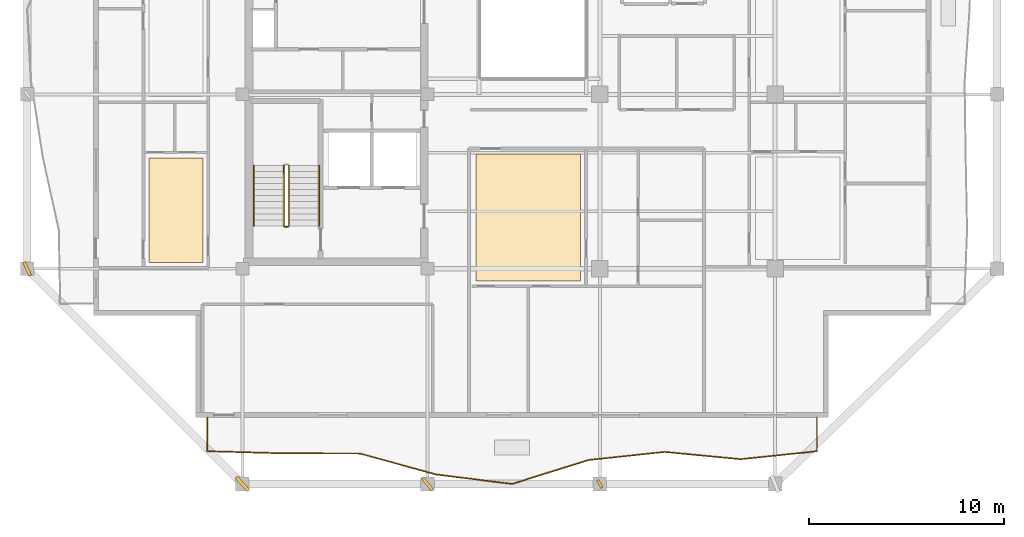
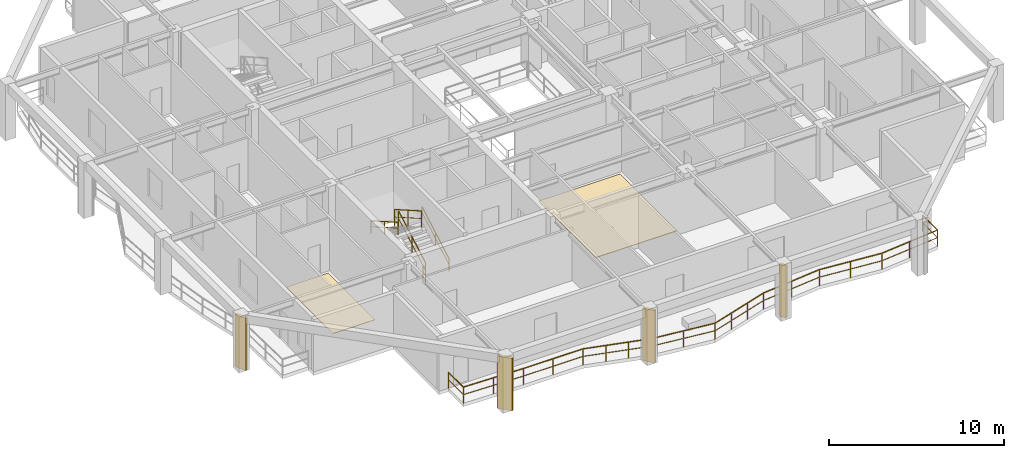
# One storey, part 8 of 13: 6 railings, 4 shading devices, 2 coverings.
"""IFC4 building model written with IfcOpenShell, lengths in metres."""

from ifc_helpers import new_model, si_unit, direction, frame, origin, origin_2d, place, context, subcontext, project, spatial, polyline, rectangle, outline, extrude, material, layer, layer_set, type_object, element, save


model = new_model("IFC4")

# Units and contexts
model_context = context("Model", 3, precision=1e-05, world=origin(), true_north=direction((0.0, 1.0)))
body_context = subcontext(model_context, "Body", "Model", "MODEL_VIEW")
ifc_project = project(units=[si_unit("LENGTHUNIT", "METRE"), si_unit("AREAUNIT", "SQUARE_METRE"), si_unit("VOLUMEUNIT", "CUBIC_METRE"), si_unit("PLANEANGLEUNIT", "RADIAN"), si_unit("MASSUNIT", "GRAM", prefix="KILO")], contexts=[model_context])

# Site, building, storey
site_placement = place(None, origin())
site = spatial("IfcSite", under=ifc_project, at=site_placement, CompositionType="ELEMENT")
building_placement = place(site_placement, origin())
building = spatial("IfcBuilding", under=site, at=building_placement, Name="Kundavana Baori Tower", CompositionType="ELEMENT")
storey_placement = place(building_placement, frame((0.0, 0.0, 225.800048828125)))
storey = spatial("IfcBuildingStorey", under=building, at=storey_placement, Name="L55", CompositionType="ELEMENT", Elevation=225.800048828125)

# Coverings
ifc_material_1 = material(Name="Honed Kota Stone and Terrazzo Flooring", Category="masonry")
ifc_layer_1 = layer(ifc_material_1, 0.0400390625, Name="COV-FLR-TERR-40")
ifc_layer_set_1 = layer_set([ifc_layer_1], Name="Honed Kota Stone and Terrazzo Flooring")
covering_type_1 = type_object("IfcCoveringType", Name="COV-FLR-TERR-40", PredefinedType="FLOORING", material=ifc_layer_set_1)
covering_1_placement = place(storey_placement, origin())
element("IfcCovering", 1, at=covering_1_placement, inside=storey, type_object=covering_type_1, Name="L55 Room Finished Stone Flooring 4", PredefinedType="FLOORING", context=body_context, shape_type="SweptSolid", body=[
    extrude(outline(polyline([(27.43994140625, 14.6201171875), (32.81005859375, 14.6201171875), (32.81005859375, 21.139892578125), (27.43994140625, 21.139892578125), (27.43994140625, 14.6201171875)])), origin(), (0.0, 0.0, 1.0), 0.0400390625),
])
ifc_material_2 = material(Name="Honed Kota Stone and Terrazzo Flooring", Category="masonry")
ifc_layer_2 = layer(ifc_material_2, 0.030029296875, Name="COV-INT-FLR")
ifc_layer_set_2 = layer_set([ifc_layer_2], Name="Honed Kota Stone and Terrazzo Flooring")
covering_type_2 = type_object("IfcCoveringType", Name="COV-INT-FLR", PredefinedType="FLOORING", material=ifc_layer_set_2)
covering_2_placement = place(storey_placement, origin())
element("IfcCovering", 2, at=covering_2_placement, inside=storey, type_object=covering_type_2, Name="L55 Room Finished Stone Flooring 1", PredefinedType="FLOORING", context=body_context, shape_type="SweptSolid", body=[
    extrude(outline(polyline([(10.64990234375, 15.580078125), (13.419921875, 15.580078125), (13.419921875, 20.93994140625), (10.64990234375, 20.93994140625), (10.64990234375, 15.580078125)])), origin(), (0.0, 0.0, 1.0), 0.030029296875),
])

# Railings
ifc_material_3 = material(Name="Architectural Patinated Bronze Metalwork")
railing_type_1 = type_object("IfcRailingType", Name="RL-BAL-1150", PredefinedType="BALUSTRADE", material=ifc_material_3)
railing_1_placement = place(storey_placement, frame((44.949951171875, 7.60009765625, 0.0)))
element("IfcRailing", 3, at=railing_1_placement, inside=storey, type_object=railing_type_1, Name="L55 Loggia Balcony Balustrade S", PredefinedType="BALUSTRADE", context=body_context, shape_type="SweptSolid", body=[
    extrude(rectangle(XDim=0.048095703125, YDim=0.048095703125, at=origin_2d()), frame((0.0, 0.0, 1.1259765625), z_axis=(0.0, -1.0, 0.0), x_axis=(1.0, 0.0, 0.0)), (0.0, 0.0, 1.0), 1.72021484375),
    extrude(rectangle(XDim=0.03125, YDim=0.03125, at=origin_2d()), frame((0.0, 0.0, 0.597900390625), z_axis=(0.0, -1.0, 0.0), x_axis=(1.0, 0.0, 0.0)), (0.0, 0.0, 1.0), 1.72021484375),
    extrude(rectangle(XDim=0.048095703125, YDim=0.048095703125, at=origin_2d()), frame((0.0, -1.72021484375, 1.1259765625), z_axis=(-0.994528895054, -0.104461844247, 0.0), x_axis=(0.104461844247, -0.994528895054, 0.0)), (0.0, 0.0, 1.0), 3.933349609375),
    extrude(rectangle(XDim=0.03125, YDim=0.03125, at=origin_2d()), frame((0.0, -1.72021484375, 0.597900390625), z_axis=(-0.994528895054, -0.104461844247, 0.0), x_axis=(0.104461844247, -0.994528895054, 0.0)), (0.0, 0.0, 1.0), 3.933349609375),
    extrude(rectangle(XDim=0.048095703125, YDim=0.048095703125, at=origin_2d()), frame((-3.911865234375, -2.131103515625, 1.1259765625), z_axis=(-0.995463034765, 0.095149074698, 0.0), x_axis=(-0.095149074698, -0.995463034765, 0.0)), (0.0, 0.0, 1.0), 3.930908203125),
    extrude(rectangle(XDim=0.03125, YDim=0.03125, at=origin_2d()), frame((-3.911865234375, -2.131103515625, 0.597900390625), z_axis=(-0.995463034765, 0.095149074698, 0.0), x_axis=(-0.095149074698, -0.995463034765, 0.0)), (0.0, 0.0, 1.0), 3.930908203125),
    extrude(rectangle(XDim=0.048095703125, YDim=0.048095703125, at=origin_2d()), frame((-7.824951171875, -1.757080078125, 1.1259765625), z_axis=(-0.994341035776, -0.106235138121, 0.0), x_axis=(0.106235138121, -0.994341035776, 0.0)), (0.0, 0.0, 1.0), 3.934326171875),
    extrude(rectangle(XDim=0.03125, YDim=0.03125, at=origin_2d()), frame((-7.824951171875, -1.757080078125, 0.597900390625), z_axis=(-0.994341035776, -0.106235138121, 0.0), x_axis=(0.106235138121, -0.994341035776, 0.0)), (0.0, 0.0, 1.0), 3.934326171875),
    extrude(rectangle(XDim=0.048095703125, YDim=0.048095703125, at=origin_2d()), frame((-11.737060546875, -2.175048828125, 1.1259765625), z_axis=(-0.954317732276, -0.298793684443, 0.0), x_axis=(0.298793684443, -0.954317732276, 0.0)), (0.0, 0.0, 1.0), 4.10009765625),
    extrude(rectangle(XDim=0.03125, YDim=0.03125, at=origin_2d()), frame((-11.737060546875, -2.175048828125, 0.597900390625), z_axis=(-0.954317732276, -0.298793684443, 0.0), x_axis=(0.298793684443, -0.954317732276, 0.0)), (0.0, 0.0, 1.0), 4.10009765625),
    extrude(rectangle(XDim=0.048095703125, YDim=0.048095703125, at=origin_2d()), frame((-15.64990234375, -3.400146484375, 1.1259765625), z_axis=(-0.992399355567, 0.12305900646, 0.0), x_axis=(-0.12305900646, -0.992399355567, 0.0)), (0.0, 0.0, 1.0), 3.942138671875),
    extrude(rectangle(XDim=0.03125, YDim=0.03125, at=origin_2d()), frame((-15.64990234375, -3.400146484375, 0.597900390625), z_axis=(-0.992399355567, 0.12305900646, 0.0), x_axis=(-0.12305900646, -0.992399355567, 0.0)), (0.0, 0.0, 1.0), 3.942138671875),
    extrude(rectangle(XDim=0.048095703125, YDim=0.048095703125, at=origin_2d()), frame((-19.56201171875, -2.9150390625, 1.1259765625), z_axis=(-0.964150387558, 0.26535642101, 0.0), x_axis=(-0.26535642101, -0.964150387558, 0.0)), (0.0, 0.0, 1.0), 4.058349609375),
    extrude(rectangle(XDim=0.03125, YDim=0.03125, at=origin_2d()), frame((-19.56201171875, -2.9150390625, 0.597900390625), z_axis=(-0.964150387558, 0.26535642101, 0.0), x_axis=(-0.26535642101, -0.964150387558, 0.0)), (0.0, 0.0, 1.0), 4.058349609375),
    extrude(rectangle(XDim=0.048095703125, YDim=0.048095703125, at=origin_2d()), frame((-23.474853515625, -1.838134765625, 1.1259765625), z_axis=(-0.99999836316, 0.001809330704, 0.0), x_axis=(-0.001809330704, -0.99999836316, 0.0)), (0.0, 0.0, 1.0), 3.9130859375),
    extrude(rectangle(XDim=0.03125, YDim=0.03125, at=origin_2d()), frame((-23.474853515625, -1.838134765625, 0.597900390625), z_axis=(-0.99999836316, 0.001809330704, 0.0), x_axis=(-0.001809330704, -0.99999836316, 0.0)), (0.0, 0.0, 1.0), 3.9130859375),
    extrude(rectangle(XDim=0.048095703125, YDim=0.048095703125, at=origin_2d()), frame((-27.387939453125, -1.8310546875, 1.1259765625), z_axis=(-0.999598876166, 0.028321136407, 0.0), x_axis=(-0.028321136407, -0.999598876166, 0.0)), (0.0, 0.0, 1.0), 3.91357421875),
    extrude(rectangle(XDim=0.03125, YDim=0.03125, at=origin_2d()), frame((-27.387939453125, -1.8310546875, 0.597900390625), z_axis=(-0.999598876166, 0.028321136407, 0.0), x_axis=(-0.028321136407, -0.999598876166, 0.0)), (0.0, 0.0, 1.0), 3.91357421875),
    extrude(rectangle(XDim=0.048095703125, YDim=0.048095703125, at=origin_2d()), frame((-31.300048828125, -1.72021484375, 1.1259765625), z_axis=(0.0, 1.0, 0.0), x_axis=(-1.0, 0.0, 0.0)), (0.0, 0.0, 1.0), 1.72021484375),
    extrude(rectangle(XDim=0.03125, YDim=0.03125, at=origin_2d()), frame((-31.300048828125, -1.72021484375, 0.597900390625), z_axis=(0.0, 1.0, 0.0), x_axis=(-1.0, 0.0, 0.0)), (0.0, 0.0, 1.0), 1.72021484375),
    extrude(rectangle(XDim=0.0419921875, YDim=0.0419921875, at=origin_2d()), origin(), (0.0, 0.0, 1.0), 1.101806640625),
    extrude(rectangle(XDim=0.0419921875, YDim=0.0419921875, at=origin_2d()), frame((0.0, -1.72021484375, 0.0)), (0.0, 0.0, 1.0), 1.101806640625),
    extrude(rectangle(XDim=0.0419921875, YDim=0.0419921875, at=origin_2d()), frame((-1.9560546875, -1.92578125, 0.0)), (0.0, 0.0, 1.0), 1.101806640625),
    extrude(rectangle(XDim=0.0419921875, YDim=0.0419921875, at=origin_2d()), frame((-3.911865234375, -2.131103515625, 0.0)), (0.0, 0.0, 1.0), 1.101806640625),
    extrude(rectangle(XDim=0.0419921875, YDim=0.0419921875, at=origin_2d()), frame((-5.868408203125, -1.944091796875, 0.0)), (0.0, 0.0, 1.0), 1.101806640625),
    extrude(rectangle(XDim=0.0419921875, YDim=0.0419921875, at=origin_2d()), frame((-7.824951171875, -1.757080078125, 0.0)), (0.0, 0.0, 1.0), 1.101806640625),
    extrude(rectangle(XDim=0.0419921875, YDim=0.0419921875, at=origin_2d()), frame((-9.781005859375, -1.966064453125, 0.0)), (0.0, 0.0, 1.0), 1.101806640625),
    extrude(rectangle(XDim=0.0419921875, YDim=0.0419921875, at=origin_2d()), frame((-11.737060546875, -2.175048828125, 0.0)), (0.0, 0.0, 1.0), 1.101806640625),
    extrude(rectangle(XDim=0.0419921875, YDim=0.0419921875, at=origin_2d()), frame((-13.041259765625, -2.58349609375, 0.0)), (0.0, 0.0, 1.0), 1.101806640625),
    extrude(rectangle(XDim=0.0419921875, YDim=0.0419921875, at=origin_2d()), frame((-14.345703125, -2.99169921875, 0.0)), (0.0, 0.0, 1.0), 1.101806640625),
    extrude(rectangle(XDim=0.0419921875, YDim=0.0419921875, at=origin_2d()), frame((-15.64990234375, -3.400146484375, 0.0)), (0.0, 0.0, 1.0), 1.101806640625),
    extrude(rectangle(XDim=0.0419921875, YDim=0.0419921875, at=origin_2d()), frame((-17.60595703125, -3.15771484375, 0.0)), (0.0, 0.0, 1.0), 1.101806640625),
    extrude(rectangle(XDim=0.0419921875, YDim=0.0419921875, at=origin_2d()), frame((-19.56201171875, -2.9150390625, 0.0)), (0.0, 0.0, 1.0), 1.101806640625),
    extrude(rectangle(XDim=0.0419921875, YDim=0.0419921875, at=origin_2d()), frame((-20.8662109375, -2.55615234375, 0.0)), (0.0, 0.0, 1.0), 1.101806640625),
    extrude(rectangle(XDim=0.0419921875, YDim=0.0419921875, at=origin_2d()), frame((-22.170654296875, -2.197021484375, 0.0)), (0.0, 0.0, 1.0), 1.101806640625),
    extrude(rectangle(XDim=0.0419921875, YDim=0.0419921875, at=origin_2d()), frame((-23.474853515625, -1.838134765625, 0.0)), (0.0, 0.0, 1.0), 1.101806640625),
    extrude(rectangle(XDim=0.0419921875, YDim=0.0419921875, at=origin_2d()), frame((-25.431396484375, -1.83447265625, 0.0)), (0.0, 0.0, 1.0), 1.101806640625),
    extrude(rectangle(XDim=0.0419921875, YDim=0.0419921875, at=origin_2d()), frame((-27.387939453125, -1.8310546875, 0.0)), (0.0, 0.0, 1.0), 1.101806640625),
    extrude(rectangle(XDim=0.0419921875, YDim=0.0419921875, at=origin_2d()), frame((-29.343994140625, -1.775634765625, 0.0)), (0.0, 0.0, 1.0), 1.101806640625),
    extrude(rectangle(XDim=0.0419921875, YDim=0.0419921875, at=origin_2d()), frame((-31.300048828125, -1.72021484375, 0.0)), (0.0, 0.0, 1.0), 1.101806640625),
    extrude(rectangle(XDim=0.0419921875, YDim=0.0419921875, at=origin_2d()), frame((-31.300048828125, 0.0, 0.0)), (0.0, 0.0, 1.0), 1.101806640625),
])
ifc_material_4 = material(Name="Architectural Patinated Bronze Metalwork")
railing_type_2 = type_object("IfcRailingType", Name="RL-GRD-1150", PredefinedType="GUARDRAIL", material=ifc_material_4)
railing_2_placement = place(storey_placement, frame((17.840087890625, 17.449951171875, 0.17724609375)))
element("IfcRailing", 4, at=railing_2_placement, inside=storey, type_object=railing_type_2, Name="L55 ST1 stair guard 1", PredefinedType="GUARDRAIL", context=body_context, shape_type="SweptSolid", body=[
    extrude(rectangle(XDim=0.048095703125, YDim=0.048095703125, at=origin_2d()), frame((0.0, 0.0, 1.1259765625), z_axis=(0.0, 0.868095856688, 0.496396599103), x_axis=(-1.0, 0.0, 0.0)), (0.0, 0.0, 1.0), 3.571044921875),
    extrude(rectangle(XDim=0.03125, YDim=0.03125, at=origin_2d()), frame((0.0, 0.0, 0.597900390625), z_axis=(0.0, 0.868095856688, 0.496396599103), x_axis=(-1.0, 0.0, 0.0)), (0.0, 0.0, 1.0), 3.571044921875),
    extrude(rectangle(XDim=0.0419921875, YDim=0.0419921875, at=origin_2d()), origin(), (0.0, 0.0, 1.0), 1.101806640625),
    extrude(rectangle(XDim=0.0419921875, YDim=0.0419921875, at=origin_2d()), frame((0.0, 1.550048828125, 0.88623046875)), (0.0, 0.0, 1.0), 1.101806640625),
    extrude(rectangle(XDim=0.0419921875, YDim=0.0419921875, at=origin_2d()), frame((0.0, 3.10009765625, 1.772705078125)), (0.0, 0.0, 1.0), 1.101806640625),
])
railing_3_placement = place(storey_placement, frame((17.580078125, 20.550048828125, 2.127197265625)))
element("IfcRailing", 5, at=railing_3_placement, inside=storey, type_object=railing_type_2, Name="L55 ST1 stair guard 3", PredefinedType="GUARDRAIL", context=body_context, shape_type="SweptSolid", body=[
    extrude(rectangle(XDim=0.048095703125, YDim=0.048095703125, at=origin_2d()), frame((0.0, 0.0, 1.1259765625), z_axis=(0.0, -0.868095856688, 0.496396599103), x_axis=(1.0, 0.0, 0.0)), (0.0, 0.0, 1.0), 3.571044921875),
    extrude(rectangle(XDim=0.03125, YDim=0.03125, at=origin_2d()), frame((0.0, 0.0, 0.597900390625), z_axis=(0.0, -0.868095856688, 0.496396599103), x_axis=(1.0, 0.0, 0.0)), (0.0, 0.0, 1.0), 3.571044921875),
    extrude(rectangle(XDim=0.0419921875, YDim=0.0419921875, at=origin_2d()), origin(), (0.0, 0.0, 1.0), 1.101806640625),
    extrude(rectangle(XDim=0.0419921875, YDim=0.0419921875, at=origin_2d()), frame((0.0, -1.550048828125, 0.88623046875)), (0.0, 0.0, 1.0), 1.101806640625),
    extrude(rectangle(XDim=0.0419921875, YDim=0.0419921875, at=origin_2d()), frame((0.0, -3.10009765625, 1.772705078125)), (0.0, 0.0, 1.0), 1.101806640625),
])
railing_4_placement = place(storey_placement, frame((17.7900390625, 17.39990234375, 0.0)))
element("IfcRailing", 6, at=railing_4_placement, inside=storey, type_object=railing_type_2, Name="L55 ST1 stair guard 4", PredefinedType="GUARDRAIL", context=body_context, shape_type="SweptSolid", body=[
    extrude(rectangle(XDim=0.048095703125, YDim=0.048095703125, at=origin_2d()), frame((0.0, 0.0, 1.1259765625), z_axis=(-1.0, 0.0, 0.0), x_axis=(0.0, -1.0, 0.0)), (0.0, 0.0, 1.0), 0.16015625),
    extrude(rectangle(XDim=0.03125, YDim=0.03125, at=origin_2d()), frame((0.0, 0.0, 0.597900390625), z_axis=(-1.0, 0.0, 0.0), x_axis=(0.0, -1.0, 0.0)), (0.0, 0.0, 1.0), 0.16015625),
    extrude(rectangle(XDim=0.0419921875, YDim=0.0419921875, at=origin_2d()), origin(), (0.0, 0.0, 1.0), 1.101806640625),
    extrude(rectangle(XDim=0.0419921875, YDim=0.0419921875, at=origin_2d()), frame((-0.16015625, 0.0, 0.0)), (0.0, 0.0, 1.0), 1.101806640625),
])
ifc_material_5 = material(Name="Architectural Patinated Bronze Metalwork")
railing_type_3 = type_object("IfcRailingType", Name="RL-HND-920", PredefinedType="HANDRAIL", material=ifc_material_5)
railing_5_placement = place(storey_placement, frame((19.389892578125, 17.449951171875, 0.17724609375)))
element("IfcRailing", 7, at=railing_5_placement, inside=storey, type_object=railing_type_3, Name="L55 ST1 stair handrail 1", PredefinedType="HANDRAIL", context=body_context, shape_type="SweptSolid", body=[
    extrude(rectangle(XDim=0.048095703125, YDim=0.048095703125, at=origin_2d()), frame((0.0, 0.0, 0.8759765625), z_axis=(0.0, 0.868095856688, 0.496396599103), x_axis=(-1.0, 0.0, 0.0)), (0.0, 0.0, 1.0), 3.571044921875),
    extrude(rectangle(XDim=0.03125, YDim=0.03125, at=origin_2d()), frame((0.0, 0.0, 0.468017578125), z_axis=(0.0, 0.868095856688, 0.496396599103), x_axis=(-1.0, 0.0, 0.0)), (0.0, 0.0, 1.0), 3.571044921875),
    extrude(rectangle(XDim=0.0419921875, YDim=0.0419921875, at=origin_2d()), origin(), (0.0, 0.0, 1.0), 0.851806640625),
    extrude(rectangle(XDim=0.0419921875, YDim=0.0419921875, at=origin_2d()), frame((0.0, 1.550048828125, 0.88623046875)), (0.0, 0.0, 1.0), 0.851806640625),
    extrude(rectangle(XDim=0.0419921875, YDim=0.0419921875, at=origin_2d()), frame((0.0, 3.10009765625, 1.772705078125)), (0.0, 0.0, 1.0), 0.851806640625),
])
railing_6_placement = place(storey_placement, frame((16.030029296875, 20.550048828125, 2.127197265625)))
element("IfcRailing", 8, at=railing_6_placement, inside=storey, type_object=railing_type_3, Name="L55 ST1 stair handrail 2", PredefinedType="HANDRAIL", context=body_context, shape_type="SweptSolid", body=[
    extrude(rectangle(XDim=0.048095703125, YDim=0.048095703125, at=origin_2d()), frame((0.0, 0.0, 0.8759765625), z_axis=(0.0, -0.868095856688, 0.496396599103), x_axis=(1.0, 0.0, 0.0)), (0.0, 0.0, 1.0), 3.571044921875),
    extrude(rectangle(XDim=0.03125, YDim=0.03125, at=origin_2d()), frame((0.0, 0.0, 0.468017578125), z_axis=(0.0, -0.868095856688, 0.496396599103), x_axis=(1.0, 0.0, 0.0)), (0.0, 0.0, 1.0), 3.571044921875),
    extrude(rectangle(XDim=0.0419921875, YDim=0.0419921875, at=origin_2d()), origin(), (0.0, 0.0, 1.0), 0.851806640625),
    extrude(rectangle(XDim=0.0419921875, YDim=0.0419921875, at=origin_2d()), frame((0.0, -1.550048828125, 0.88623046875)), (0.0, 0.0, 1.0), 0.851806640625),
    extrude(rectangle(XDim=0.0419921875, YDim=0.0419921875, at=origin_2d()), frame((0.0, -3.10009765625, 1.772705078125)), (0.0, 0.0, 1.0), 0.851806640625),
])

# Shading devices
ifc_material_6 = material(Name="Red-Buff Dholpur Sandstone Cladding on Concrete C40/50", Category="masonry")
shading_device_type_1 = type_object("IfcShadingDeviceType", Name="SHD-FIN-750", PredefinedType="JALOUSIE", material=ifc_material_6)
for number, where, z_axis, x_axis, name in (
    (9, (24.949951171875, 4.199951171875, 0.0), (0.0, 0.0, 1.0), (0.779884483093, 0.625923472184, 0.0), "L55 Sweeping Dholpur Sandstone Facade Fin 2"),
    (10, (4.39990234375, 15.25, 0.0), (0.0, 0.0, 1.0), (0.911546866716, 0.411196193781, 0.0), "L55 Sweeping Dholpur Sandstone Facade Fin 5"),
):
    element("IfcShadingDevice", number, at=place(storey_placement, frame(where, z_axis=z_axis, x_axis=x_axis)), inside=storey, type_object=shading_device_type_1, Name=name, PredefinedType="JALOUSIE", context=body_context, shape_type="SweptSolid", body=[
        extrude(rectangle(XDim=0.159912109375, YDim=0.75, at=origin_2d()), origin(), (0.0, 0.0, 1.0), 3.659912109375),
    ])
ifc_material_7 = material(Name="Red-Buff Dholpur Sandstone Cladding on Concrete C40/50", Category="masonry")
shading_device_type_2 = type_object("IfcShadingDeviceType", Name="SHD-FIN-920", PredefinedType="JALOUSIE", material=ifc_material_7)
shading_device_1_placement = place(storey_placement, frame((15.449951171875, 4.199951171875, 0.0), z_axis=(0.0, 0.0, 1.0), x_axis=(0.744777599887, 0.667312765281, 0.0)))
element("IfcShadingDevice", 11, at=shading_device_1_placement, inside=storey, type_object=shading_device_type_2, Name="L55 Sweeping Dholpur Sandstone Facade Fin 1", PredefinedType="JALOUSIE", context=body_context, shape_type="SweptSolid", body=[
    extrude(rectangle(XDim=0.179931640625, YDim=0.919921875, at=origin_2d()), origin(), (0.0, 0.0, 1.0), 3.659912109375),
])
ifc_material_8 = material(Name="Architectural Patinated Bronze Metalwork")
shading_device_type_3 = type_object("IfcShadingDeviceType", Name="SHD-LOUV-450", PredefinedType="SHUTTER", material=ifc_material_8)
shading_device_2_placement = place(storey_placement, frame((33.800048828125, 4.199951171875, 0.0), z_axis=(0.0, 0.0, 1.0), x_axis=(0.870870883366, 0.491511855915, 0.0)))
element("IfcShadingDevice", 12, at=shading_device_2_placement, inside=storey, type_object=shading_device_type_3, Name="L55 Sweeping Dholpur Sandstone Facade Fin 3", PredefinedType="SHUTTER", context=body_context, shape_type="SweptSolid", body=[
    extrude(rectangle(XDim=0.139892578125, YDim=0.449951171875, at=origin_2d()), origin(), (0.0, 0.0, 1.0), 3.659912109375),
])

save(model, "model.ifc")
